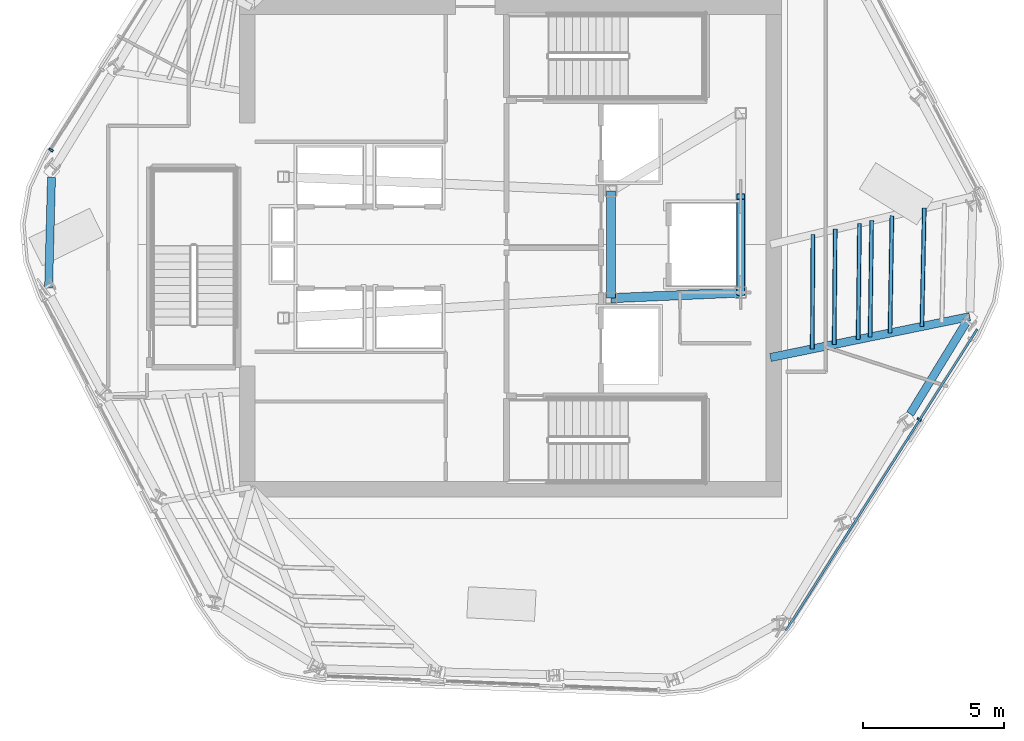
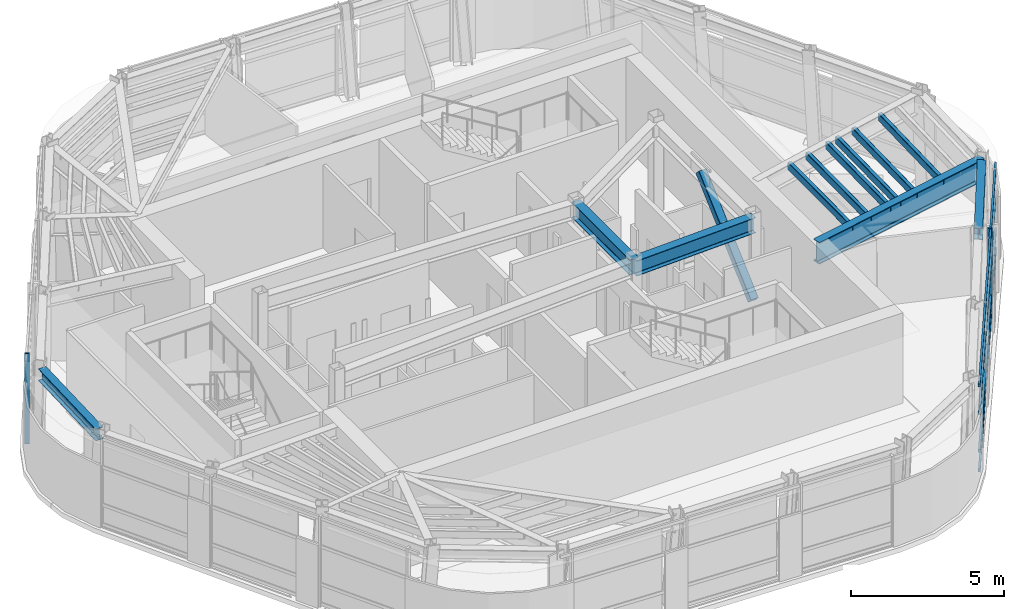
# One storey, part 3 of 13: 13 members, 5 beams, 2 elements without a shape of their own.
"""IFC4 building model written with IfcOpenShell, lengths in metres."""

from ifc_helpers import new_model, si_unit, direction, frame, origin, origin_2d, place, context, subcontext, project, spatial, rectangle, hollow_rectangle, i_section, extrude, material, layer, layer_set, material_profile, profile_set, type_object, element, aggregate, save


model = new_model("IFC4")

# Units and contexts
model_context = context("Model", 3, precision=1e-05, world=origin(), true_north=direction((0.0, 1.0)))
body_context = subcontext(model_context, "Body", "Model", "MODEL_VIEW")
ifc_project = project(units=[si_unit("LENGTHUNIT", "METRE"), si_unit("AREAUNIT", "SQUARE_METRE"), si_unit("VOLUMEUNIT", "CUBIC_METRE"), si_unit("PLANEANGLEUNIT", "RADIAN"), si_unit("MASSUNIT", "GRAM", prefix="KILO")], contexts=[model_context])

# Site, building, storey
site_placement = place(None, origin())
site = spatial("IfcSite", under=ifc_project, at=site_placement, CompositionType="ELEMENT")
building_placement = place(site_placement, origin())
building = spatial("IfcBuilding", under=site, at=building_placement, Name="Valkerne Bourse Tower", CompositionType="ELEMENT")
storey_placement = place(building_placement, frame((0.0, 0.0, 273.60009765625)))
storey = spatial("IfcBuildingStorey", under=building, at=storey_placement, Name="L69", CompositionType="ELEMENT", Elevation=273.60009765625)

# Beams
ifc_material_1 = material(Name="Steel ASTM A992", Category="steel")
ifc_material_profile_1 = material_profile(ifc_material_1, i_section(OverallWidth=0.284423828125, OverallDepth=0.47509765625, WebThickness=0.014892578125, FlangeThickness=0.02392578125, FilletRadius=0.017822265625, at=origin_2d()), Name="W18X106")
ifc_profile_set_1 = profile_set([ifc_material_profile_1], Name="Steel ASTM A992")
beam_type_1 = type_object("IfcBeamType", Name="BM-W18X106", PredefinedType="BEAM", material=ifc_profile_set_1)
beam_1_placement = place(storey_placement, frame((30.535400390625, 29.384521484375, 3.3623046875), z_axis=(-0.026186987218, -0.999657062047, 0.0), x_axis=(0.999657062047, -0.026186987218, 0.0)))
element("IfcBeam", 1, at=beam_1_placement, inside=storey, type_object=beam_type_1, Name="L69 Hexagonal Spandrel Ring Beam 07", PredefinedType="BEAM", context=body_context, shape_type="SweptSolid", body=[
    extrude(i_section(OverallWidth=0.284423828125, OverallDepth=0.47509765625, WebThickness=0.014892578125, FlangeThickness=0.02392578125, FilletRadius=0.017822265625, at=origin_2d()), origin(), (0.0, 0.0, 1.0), 3.915771484375),
])
beam_2_placement = place(storey_placement, frame((60.9482421875, 20.999267578125, 3.3623046875), z_axis=(0.522502916633, 0.852637497481, 0.0), x_axis=(-0.852637497481, 0.522502916633, 0.0)))
element("IfcBeam", 2, at=beam_2_placement, inside=storey, type_object=beam_type_1, Name="L69 Hexagonal Spandrel Ring Beam 18", PredefinedType="BEAM", context=body_context, shape_type="SweptSolid", body=[
    extrude(i_section(OverallWidth=0.284423828125, OverallDepth=0.47509765625, WebThickness=0.014892578125, FlangeThickness=0.02392578125, FilletRadius=0.017822265625, at=origin_2d()), origin(), (0.0, 0.0, 1.0), 3.8720703125),
])
ifc_material_profile_2 = material_profile(ifc_material_1, i_section(OverallWidth=0.3251953125, OverallDepth=0.612060546875, WebThickness=0.0126953125, FlangeThickness=0.01904296875, FilletRadius=0.020263671875, at=origin_2d()), Name="W24X104")
ifc_profile_set_2 = profile_set([ifc_material_profile_2], Name="Steel ASTM A992")
beam_type_2 = type_object("IfcBeamType", Name="BM-W24X104", PredefinedType="BEAM", material=ifc_profile_set_2)
beam_3_placement = place(storey_placement, frame((50.35009765625, 25.10009765625, 3.293701171875), z_axis=(0.0, 1.0, 0.0), x_axis=(-1.0, 0.0, 0.0)))
element("IfcBeam", 3, at=beam_3_placement, inside=storey, type_object=beam_type_2, Name="L69 Core Frame Girder CG-CE", PredefinedType="BEAM", context=body_context, shape_type="SweptSolid", body=[
    extrude(i_section(OverallWidth=0.3251953125, OverallDepth=0.612060546875, WebThickness=0.0126953125, FlangeThickness=0.01904296875, FilletRadius=0.020263671875, at=origin_2d()), origin(), (0.0, 0.0, 1.0), 3.7998046875),
])
beam_4_placement = place(storey_placement, frame((50.35009765625, 25.10009765625, 3.293701171875), z_axis=(0.999056558506, 0.043428019819, 0.0), x_axis=(-0.043428019819, 0.999056558506, 0.0)))
element("IfcBeam", 4, at=beam_4_placement, inside=storey, type_object=beam_type_2, Name="L69 Core Frame Girder CG-SE", PredefinedType="BEAM", context=body_context, shape_type="SweptSolid", body=[
    extrude(i_section(OverallWidth=0.3251953125, OverallDepth=0.612060546875, WebThickness=0.0126953125, FlangeThickness=0.01904296875, FilletRadius=0.020263671875, at=origin_2d()), origin(), (0.0, 0.0, 1.0), 4.604248046875),
])
ifc_material_profile_3 = material_profile(ifc_material_1, i_section(OverallWidth=0.2919921875, OverallDepth=0.8583984375, WebThickness=0.01708984375, FlangeThickness=0.031005859375, FilletRadius=0.025390625, at=origin_2d()), Name="W33X169")
ifc_profile_set_3 = profile_set([ifc_material_profile_3], Name="Steel ASTM A992")
beam_type_3 = type_object("IfcBeamType", Name="BM-W33X169", PredefinedType="BEAM", material=ifc_profile_set_3)
beam_5_placement = place(storey_placement, frame((63.060302734375, 24.44580078125, 3.170654296875), z_axis=(-0.979670013563, -0.200615713556, 0.0), x_axis=(0.200615713556, -0.979670013563, 0.0)))
element("IfcBeam", 5, at=beam_5_placement, inside=storey, type_object=beam_type_3, Name="L69 Radial Composite Floor Beam 19", PredefinedType="BEAM", context=body_context, shape_type="SweptSolid", body=[
    extrude(i_section(OverallWidth=0.2919921875, OverallDepth=0.8583984375, WebThickness=0.01708984375, FlangeThickness=0.031005859375, FilletRadius=0.025390625, at=origin_2d()), origin(), (0.0, 0.0, 1.0), 7.206787109375),
])

# Curtain wall, member
ifc_material_2 = material(Name="Aluminium AA 6063-T6", Category="aluminium")
ifc_layer = layer(ifc_material_2, 0.2451171875)
ifc_layer_set = layer_set([ifc_layer], Name="Aluminium AA 6063-T6")
curtain_wall_type = type_object("IfcCurtainWallType", Name="CW-05", PredefinedType="NOTDEFINED", material=ifc_layer_set)
curtain_wall_1_placement = place(storey_placement, origin())
curtain_wall_1 = element("IfcCurtainWall", 6, at=curtain_wall_1_placement, inside=storey, type_object=curtain_wall_type, Name="L69 Hexagonal Stick Curtain Wall Face 2", PredefinedType="NOTDEFINED")
ifc_material_profile_4 = material_profile(ifc_material_2, rectangle(XDim=0.074951171875, YDim=0.159912109375, at=origin_2d()), Name="CWM-75X160")
ifc_profile_set_4 = profile_set([ifc_material_profile_4], Name="Aluminium AA 6063-T6")
member_type_1 = type_object("IfcMemberType", Name="CW-MUL-160X75", PredefinedType="MULLION", material=ifc_profile_set_4)
member_1_placement = place(storey_placement, frame((30.52001953125, 30.34619140625, 0.0), z_axis=(0.0, 0.0, 1.0), x_axis=(-0.535827369105, -0.84432756115, 0.0)))
member_1 = element("IfcMember", 7, at=member_1_placement, type_object=member_type_1, Name="CW-L69-F2 Jamb Mullion 02B", PredefinedType="MULLION", context=body_context, shape_type="SweptSolid", body=[
    extrude(rectangle(XDim=0.074951171875, YDim=0.159912109375, at=origin_2d()), origin(), (0.0, 0.0, 1.0), 3.599853515625),
])
aggregate(curtain_wall_1, [member_1])

# Curtain wall, members
curtain_wall_2_placement = place(storey_placement, origin())
curtain_wall_2 = element("IfcCurtainWall", 8, at=curtain_wall_2_placement, inside=storey, type_object=curtain_wall_type, Name="L69 Hexagonal Stick Curtain Wall Face 5", PredefinedType="NOTDEFINED")
member_2_placement = place(storey_placement, frame((61.273193359375, 20.806640625, 0.0), z_axis=(0.0, 0.0, 1.0), x_axis=(0.535827369105, 0.84432756115, 0.0)))
member_2 = element("IfcMember", 9, at=member_2_placement, type_object=member_type_1, Name="CW-L69-F5 Jamb Mullion 02A", PredefinedType="MULLION", context=body_context, shape_type="SweptSolid", body=[
    extrude(rectangle(XDim=0.074951171875, YDim=0.159912109375, at=origin_2d()), origin(), (0.0, 0.0, 1.0), 3.599853515625),
])
ifc_material_profile_5 = material_profile(ifc_material_2, rectangle(XDim=0.074951171875, YDim=0.1201171875, at=origin_2d()), Name="CWT-75X120")
ifc_profile_set_5 = profile_set([ifc_material_profile_5], Name="Aluminium AA 6063-T6")
member_type_2 = type_object("IfcMemberType", Name="CW-TRN-120X75", PredefinedType="USERDEFINED", material=ifc_profile_set_5)
member_3_placement = place(storey_placement, frame((56.551513671875, 13.32861328125, 0.119873046875), z_axis=(0.535806162977, 0.844341018615, 0.0), x_axis=(-0.844341018615, 0.535806162977, 0.0)))
member_3 = element("IfcMember", 10, at=member_3_placement, type_object=member_type_2, Name="CW-L69-F5 Continuous Face Transom 1", ObjectType="TRANSOM", PredefinedType="USERDEFINED", context=body_context, shape_type="SweptSolid", body=[
    extrude(rectangle(XDim=0.074951171875, YDim=0.1201171875, at=origin_2d()), origin(), (0.0, 0.0, 1.0), 12.63623046875),
])
member_4_placement = place(storey_placement, frame((56.551513671875, 13.32861328125, 0.89990234375), z_axis=(0.535806162977, 0.844341018615, 0.0), x_axis=(-0.844341018615, 0.535806162977, 0.0)))
member_4 = element("IfcMember", 11, at=member_4_placement, type_object=member_type_2, Name="CW-L69-F5 Continuous Face Transom 2", ObjectType="TRANSOM", PredefinedType="USERDEFINED", context=body_context, shape_type="SweptSolid", body=[
    extrude(rectangle(XDim=0.074951171875, YDim=0.1201171875, at=origin_2d()), origin(), (0.0, 0.0, 1.0), 12.63623046875),
])
member_5_placement = place(storey_placement, frame((56.551513671875, 13.32861328125, 2.39990234375), z_axis=(0.535806162977, 0.844341018615, 0.0), x_axis=(-0.844341018615, 0.535806162977, 0.0)))
member_5 = element("IfcMember", 12, at=member_5_placement, type_object=member_type_2, Name="CW-L69-F5 Continuous Face Transom 3", ObjectType="TRANSOM", PredefinedType="USERDEFINED", context=body_context, shape_type="SweptSolid", body=[
    extrude(rectangle(XDim=0.074951171875, YDim=0.1201171875, at=origin_2d()), origin(), (0.0, 0.0, 1.0), 12.63623046875),
])
member_6_placement = place(storey_placement, frame((56.551513671875, 13.32861328125, 3.52001953125), z_axis=(0.535806162977, 0.844341018615, 0.0), x_axis=(-0.844341018615, 0.535806162977, 0.0)))
member_6 = element("IfcMember", 13, at=member_6_placement, type_object=member_type_2, Name="CW-L69-F5 Continuous Face Transom 4", ObjectType="TRANSOM", PredefinedType="USERDEFINED", context=body_context, shape_type="SweptSolid", body=[
    extrude(rectangle(XDim=0.074951171875, YDim=0.1201171875, at=origin_2d()), origin(), (0.0, 0.0, 1.0), 12.63623046875),
])
aggregate(curtain_wall_2, [member_3, member_4, member_5, member_6, member_2])

# Members
ifc_material_3 = material(Name="Steel ASTM A500 Grade C", Category="steel")
ifc_material_profile_6 = material_profile(ifc_material_3, hollow_rectangle(XDim=0.14990234375, YDim=0.300048828125, WallThickness=0.012451171875, OuterFilletRadius=0.02490234375, at=origin_2d()), Name="HSS300X150X12.5")
ifc_profile_set_6 = profile_set([ifc_material_profile_6], Name="Steel ASTM A500 Grade C")
member_type_3 = type_object("IfcMemberType", Name="MBR-HSS300X150X12.5", PredefinedType="PURLIN", material=ifc_profile_set_6)
member_7_placement = place(storey_placement, frame((58.25927734375, 23.462646484375, 3.43994140625), z_axis=(0.008733291389, 0.999961864084, 0.0), x_axis=(-0.999961864084, 0.008733291389, 0.0)))
element("IfcMember", 14, at=member_7_placement, inside=storey, type_object=member_type_3, Name="L69 Secondary Composite Floor Purlin I-19", PredefinedType="PURLIN", context=body_context, shape_type="SweptSolid", body=[
    extrude(hollow_rectangle(XDim=0.14990234375, YDim=0.300048828125, WallThickness=0.012451171875, OuterFilletRadius=0.02490234375, at=origin_2d()), origin(), (0.0, 0.0, 1.0), 4.08154296875),
])
member_8_placement = place(storey_placement, frame((59.1064453125, 23.635986328125, 3.43994140625), z_axis=(0.011933599763, 0.999928792063, 0.0), x_axis=(-0.999928792063, 0.011933599763, 0.0)))
element("IfcMember", 15, at=member_8_placement, inside=storey, type_object=member_type_3, Name="L69 Secondary Composite Floor Purlin K-19", PredefinedType="PURLIN", context=body_context, shape_type="SweptSolid", body=[
    extrude(hollow_rectangle(XDim=0.14990234375, YDim=0.300048828125, WallThickness=0.012451171875, OuterFilletRadius=0.02490234375, at=origin_2d()), origin(), (0.0, 0.0, 1.0), 4.112060546875),
])
member_9_placement = place(storey_placement, frame((59.530029296875, 23.722900390625, 3.43994140625), z_axis=(0.013486705127, 0.999909050256, 0.0), x_axis=(-0.999909050256, 0.013486705127, 0.0)))
element("IfcMember", 16, at=member_9_placement, inside=storey, type_object=member_type_3, Name="L69 Secondary Composite Floor Purlin M-19", PredefinedType="PURLIN", context=body_context, shape_type="SweptSolid", body=[
    extrude(hollow_rectangle(XDim=0.14990234375, YDim=0.300048828125, WallThickness=0.012451171875, OuterFilletRadius=0.02490234375, at=origin_2d()), origin(), (0.0, 0.0, 1.0), 4.12744140625),
])
member_10_placement = place(storey_placement, frame((61.36572265625, 24.0986328125, 3.43994140625), z_axis=(0.020199662312, 0.999795966006, 0.0), x_axis=(-0.999795966006, 0.020199662312, 0.0)))
element("IfcMember", 17, at=member_10_placement, inside=storey, type_object=member_type_3, Name="L69 Secondary Composite Floor Purlin O-19", PredefinedType="PURLIN", context=body_context, shape_type="SweptSolid", body=[
    extrude(hollow_rectangle(XDim=0.14990234375, YDim=0.300048828125, WallThickness=0.012451171875, OuterFilletRadius=0.02490234375, at=origin_2d()), origin(), (0.0, 0.0, 1.0), 4.194091796875),
])
member_11_placement = place(storey_placement, frame((60.236083984375, 23.867431640625, 3.43994140625), z_axis=(0.016107028921, 0.999870273395, 0.0), x_axis=(-0.999870273395, 0.016107028921, 0.0)))
element("IfcMember", 18, at=member_11_placement, inside=storey, type_object=member_type_3, Name="L69 Secondary Composite Floor Purlin Z-19", PredefinedType="PURLIN", context=body_context, shape_type="SweptSolid", body=[
    extrude(hollow_rectangle(XDim=0.14990234375, YDim=0.300048828125, WallThickness=0.012451171875, OuterFilletRadius=0.02490234375, at=origin_2d()), origin(), (0.0, 0.0, 1.0), 4.153076171875),
])
member_12_placement = place(storey_placement, frame((57.482666015625, 23.3037109375, 3.43994140625), z_axis=(0.005782339181, 0.999983282137, 0.0), x_axis=(-0.999983282137, 0.005782339181, 0.0)))
element("IfcMember", 19, at=member_12_placement, inside=storey, type_object=member_type_3, Name="L69 Secondary Composite Floor Purlin S-19", PredefinedType="PURLIN", context=body_context, shape_type="SweptSolid", body=[
    extrude(hollow_rectangle(XDim=0.14990234375, YDim=0.300048828125, WallThickness=0.012451171875, OuterFilletRadius=0.02490234375, at=origin_2d()), origin(), (0.0, 0.0, 1.0), 4.05322265625),
])
ifc_material_profile_7 = material_profile(ifc_material_3, hollow_rectangle(XDim=0.300048828125, YDim=0.300048828125, WallThickness=0.012451171875, OuterFilletRadius=0.02490234375, at=origin_2d()), Name="HSS300X300X12.5")
ifc_profile_set_7 = profile_set([ifc_material_profile_7], Name="Steel ASTM A500 Grade C")
member_type_4 = type_object("IfcMemberType", Name="MBR-HSS300X300X12.5", PredefinedType="STRUT", material=ifc_profile_set_7)
member_13_placement = place(storey_placement, frame((54.949951171875, 25.300048828125, 0.219970703125), z_axis=(0.0, 0.741793158493, 0.670628742311), x_axis=(-1.0, 0.0, 0.0)))
element("IfcMember", 20, at=member_13_placement, inside=storey, type_object=member_type_4, Name="L69 Core Service Pier Lateral Brace", PredefinedType="STRUT", context=body_context, shape_type="SweptSolid", body=[
    extrude(hollow_rectangle(XDim=0.300048828125, YDim=0.300048828125, WallThickness=0.012451171875, OuterFilletRadius=0.02490234375, at=origin_2d()), origin(), (0.0, 0.0, 1.0), 4.583251953125),
])

save(model, "model.ifc")
